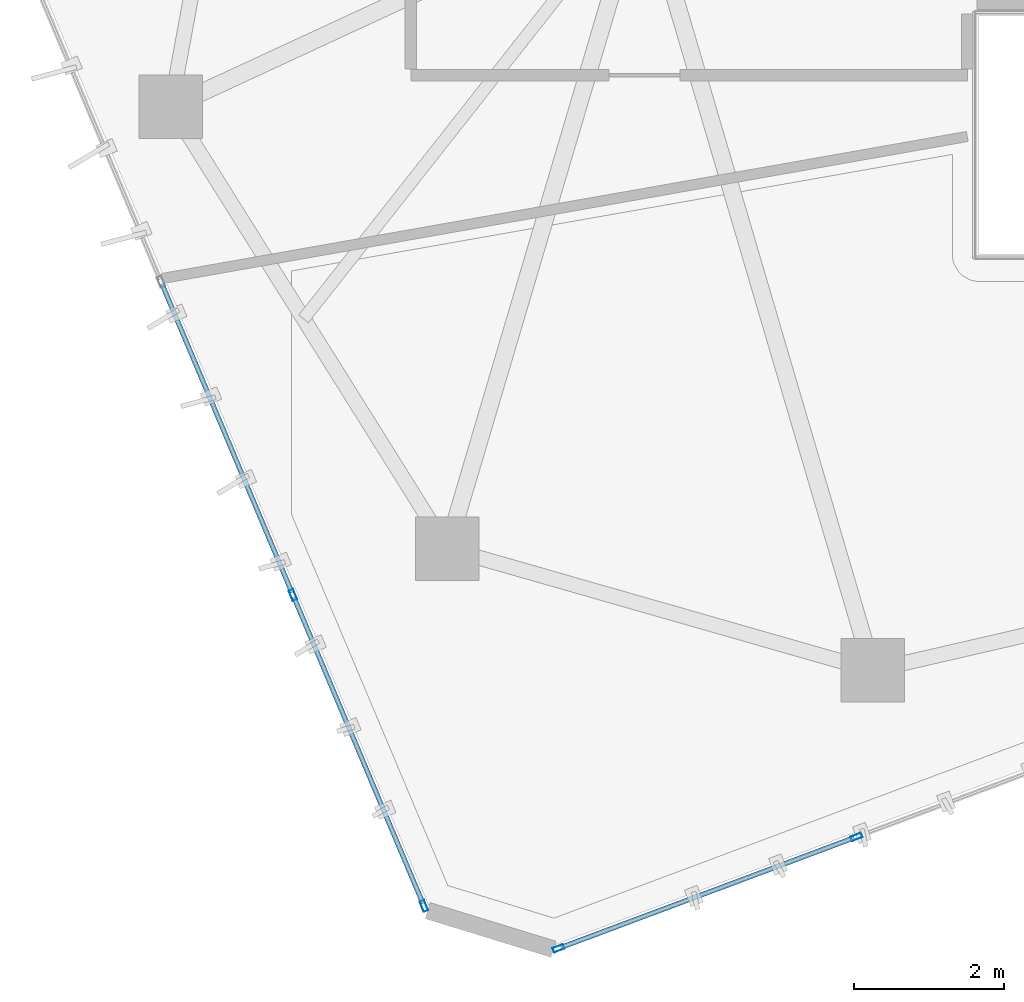
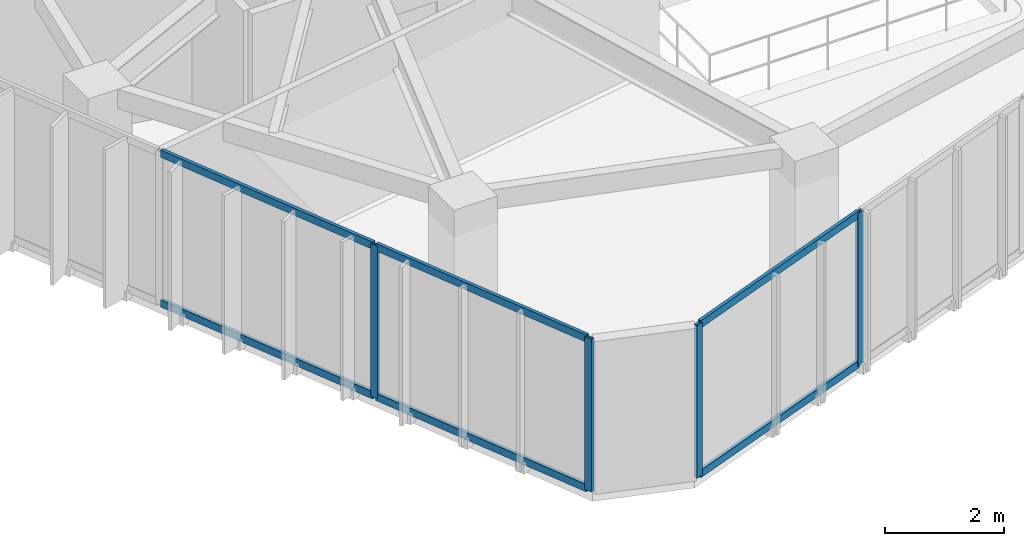
# One storey, part 2 of 20: 10 members, 2 elements without a shape of their own.
"""IFC4 building model written with IfcOpenShell, lengths in metres."""

from ifc_helpers import new_model, si_unit, direction, frame, origin, origin_2d, place, context, subcontext, project, spatial, hollow_rectangle, extrude, source, transform, mapped, material, layer, layer_set, material_profile, profile_set, type_object, type_shapes, element, aggregate, save


model = new_model("IFC4")

# Units and contexts
model_context = context("Model", 3, precision=1e-05, world=origin(), true_north=direction((0.0, 1.0)))
body_context = subcontext(model_context, "Body", "Model", "MODEL_VIEW")
ifc_project = project(units=[si_unit("LENGTHUNIT", "METRE"), si_unit("AREAUNIT", "SQUARE_METRE"), si_unit("VOLUMEUNIT", "CUBIC_METRE"), si_unit("PLANEANGLEUNIT", "RADIAN"), si_unit("MASSUNIT", "GRAM", prefix="KILO")], contexts=[model_context])

# Site, building, storey
site_placement = place(None, origin())
site = spatial("IfcSite", under=ifc_project, at=site_placement, CompositionType="ELEMENT")
building_placement = place(site_placement, origin())
building = spatial("IfcBuilding", under=site, at=building_placement, Name="Talar Marvaseh", CompositionType="ELEMENT")
storey_placement = place(building_placement, frame((0.0, 0.0, 281.60009765625)))
storey = spatial("IfcBuildingStorey", under=building, at=storey_placement, Name="L75", CompositionType="ELEMENT", Elevation=281.60009765625)

# Curtain wall, members
ifc_material = material(Name="Architectural Aluminium", Category="aluminium")
ifc_layer = layer(ifc_material, 0.179931640625)
ifc_layer_set = layer_set([ifc_layer], Name="Architectural Aluminium")
curtain_wall_type = type_object("IfcCurtainWallType", Name="Unitised High-Wind Sky Curtain Wall Z4", PredefinedType="NOTDEFINED", material=ifc_layer_set)
curtain_wall_1_placement = place(storey_placement, origin())
curtain_wall_1 = element("IfcCurtainWall", 1, at=curtain_wall_1_placement, inside=storey, type_object=curtain_wall_type, Name="L75 Unitised High-Wind Sky Curtain Wall Z4", PredefinedType="NOTDEFINED")
ifc_material_profile_1 = material_profile(ifc_material, hollow_rectangle(XDim=0.06494140625, YDim=0.14990234375, WallThickness=0.00390625, at=origin_2d()), Name="RHS150x65x4")
ifc_profile_set_1 = profile_set([ifc_material_profile_1], Name="Architectural Aluminium")
member_type_1 = type_object("IfcMemberType", Name="Unitised Curtain Wall Slim Mullion RHS150x65x4", PredefinedType="MULLION", material=ifc_profile_set_1)
shared_shape_1 = source(origin(), body_context, "Body", "SweptSolid", [
    extrude(hollow_rectangle(XDim=0.06494140625, YDim=0.14990234375, WallThickness=0.00390625, at=origin_2d()), origin(), (0.0, 0.0, 1.0), 3.139892578125),
])
type_shapes(member_type_1, [shared_shape_1])
member_1_placement = place(storey_placement, frame((15.7744140625, 11.890625, 0.0), z_axis=(0.0, 0.0, 1.0), x_axis=(-0.921550586962, -0.388258310498, 0.0)))
member_1 = element("IfcMember", 2, at=member_1_placement, type_object=member_type_1, Name="CW-Z4 mullion 1", PredefinedType="MULLION", context=body_context, shape_type="MappedRepresentation", body=[
    mapped(shared_shape_1, transform((0.0, 0.0, 0.0), x_axis=(1.0, 0.0, 0.0), y_axis=(0.0, 1.0, 0.0), z_axis=(0.0, 0.0, 1.0), scale=1.0)),
])
member_2_placement = place(storey_placement, frame((14.0224609375, 16.049072265625, 0.0), z_axis=(0.0, 0.0, 1.0), x_axis=(-0.921550586962, -0.388258310498, 0.0)))
member_2 = element("IfcMember", 3, at=member_2_placement, type_object=member_type_1, Name="CW-Z4 mullion 2", PredefinedType="MULLION", context=body_context, shape_type="MappedRepresentation", body=[
    mapped(shared_shape_1, transform((0.0, 0.0, 0.0), x_axis=(1.0, 0.0, 0.0), y_axis=(0.0, 1.0, 0.0), z_axis=(0.0, 0.0, 1.0), scale=1.0)),
])

curtain_wall_2_placement = place(storey_placement, origin())
curtain_wall_2 = element("IfcCurtainWall", 4, at=curtain_wall_2_placement, inside=storey, type_object=curtain_wall_type, Name="L75 Unitised High-Wind Sky Curtain Wall Z4", PredefinedType="NOTDEFINED")
member_3_placement = place(storey_placement, frame((21.558349609375, 12.813232421875, 0.0), z_axis=(0.0, 0.0, 1.0), x_axis=(0.350351185001, -0.93661841065, 0.0)))
member_3 = element("IfcMember", 5, at=member_3_placement, type_object=member_type_1, Name="CW-Z4 mullion 4", PredefinedType="MULLION", context=body_context, shape_type="MappedRepresentation", body=[
    mapped(shared_shape_1, transform((0.0, 0.0, 0.0), x_axis=(1.0, 0.0, 0.0), y_axis=(0.0, 1.0, 0.0), z_axis=(0.0, 0.0, 1.0), scale=1.0)),
])
member_4_placement = place(storey_placement, frame((17.57421875, 11.322998046875, 0.0), z_axis=(0.0, 0.0, 1.0), x_axis=(0.350351185001, -0.93661841065, 0.0)))
member_4 = element("IfcMember", 6, at=member_4_placement, type_object=member_type_1, Name="CW-Z4 mullion 5", PredefinedType="MULLION", context=body_context, shape_type="MappedRepresentation", body=[
    mapped(shared_shape_1, transform((0.0, 0.0, 0.0), x_axis=(1.0, 0.0, 0.0), y_axis=(0.0, 1.0, 0.0), z_axis=(0.0, 0.0, 1.0), scale=1.0)),
])

# Member
ifc_material_profile_2 = material_profile(ifc_material, hollow_rectangle(XDim=0.06494140625, YDim=0.14990234375, WallThickness=0.00390625, at=origin_2d()), Name="RHS150x65x4")
ifc_profile_set_2 = profile_set([ifc_material_profile_2], Name="Architectural Aluminium")
member_type_2 = type_object("IfcMemberType", Name="Unitised Curtain Wall Slim Transom RHS150x65x4", PredefinedType="USERDEFINED", material=ifc_profile_set_2)
shared_shape_2 = source(origin(), body_context, "Body", "SweptSolid", [
    extrude(hollow_rectangle(XDim=0.06494140625, YDim=0.14990234375, WallThickness=0.00390625, at=origin_2d()), origin(), (0.0, 0.0, 1.0), 4.479736328125),
])
member_5_placement = place(storey_placement, frame((14.009765625, 16.078857421875, 0.032470703125), z_axis=(-0.388242156435, 0.92155739266, 0.0), x_axis=(-0.92155739266, -0.388242156435, 0.0)))
member_5 = element("IfcMember", 7, at=member_5_placement, type_object=member_type_2, Name="CW-Z4 transom 2.1", ObjectType="TRANSOM", PredefinedType="USERDEFINED", context=body_context, shape_type="MappedRepresentation", body=[
    mapped(shared_shape_2, transform((0.0, 0.0, 0.0), x_axis=(1.0, 0.0, 0.0), y_axis=(0.0, 1.0, 0.0), z_axis=(0.0, 0.0, 1.0), scale=1.0)),
])

member_6_placement = place(storey_placement, frame((14.009765625, 16.078857421875, 3.107421875), z_axis=(-0.388242156435, 0.92155739266, 0.0), x_axis=(-0.92155739266, -0.388242156435, 0.0)))
member_6 = element("IfcMember", 8, at=member_6_placement, type_object=member_type_2, Name="CW-Z4 transom 2.2", ObjectType="TRANSOM", PredefinedType="USERDEFINED", context=body_context, shape_type="MappedRepresentation", body=[
    mapped(shared_shape_2, transform((0.0, 0.0, 0.0), x_axis=(1.0, 0.0, 0.0), y_axis=(0.0, 1.0, 0.0), z_axis=(0.0, 0.0, 1.0), scale=1.0)),
])

shared_shape_3 = source(origin(), body_context, "Body", "SweptSolid", [
    extrude(hollow_rectangle(XDim=0.06494140625, YDim=0.14990234375, WallThickness=0.00390625, at=origin_2d()), origin(), (0.0, 0.0, 1.0), 4.447509765625),
])
member_7_placement = place(storey_placement, frame((15.76171875, 11.92041015625, 0.032470703125), z_axis=(-0.388260677206, 0.92154958984, 0.0), x_axis=(-0.92154958984, -0.388260677206, 0.0)))
member_7 = element("IfcMember", 9, at=member_7_placement, type_object=member_type_2, Name="CW-Z4 transom 1.1", ObjectType="TRANSOM", PredefinedType="USERDEFINED", context=body_context, shape_type="MappedRepresentation", body=[
    mapped(shared_shape_3, transform((0.0, 0.0, 0.0), x_axis=(1.0, 0.0, 0.0), y_axis=(0.0, 1.0, 0.0), z_axis=(0.0, 0.0, 1.0), scale=1.0)),
])

member_8_placement = place(storey_placement, frame((15.76171875, 11.92041015625, 3.107421875), z_axis=(-0.388260677206, 0.92154958984, 0.0), x_axis=(-0.92154958984, -0.388260677206, 0.0)))
member_8 = element("IfcMember", 10, at=member_8_placement, type_object=member_type_2, Name="CW-Z4 transom 1.2", ObjectType="TRANSOM", PredefinedType="USERDEFINED", context=body_context, shape_type="MappedRepresentation", body=[
    mapped(shared_shape_3, transform((0.0, 0.0, 0.0), x_axis=(1.0, 0.0, 0.0), y_axis=(0.0, 1.0, 0.0), z_axis=(0.0, 0.0, 1.0), scale=1.0)),
])

aggregate(curtain_wall_1, [member_1, member_2, member_7, member_8, member_5, member_6])

shared_shape_4 = source(origin(), body_context, "Body", "SweptSolid", [
    extrude(hollow_rectangle(XDim=0.06494140625, YDim=0.14990234375, WallThickness=0.00390625, at=origin_2d()), origin(), (0.0, 0.0, 1.0), 4.188720703125),
])
type_shapes(member_type_2, [shared_shape_2, shared_shape_3, shared_shape_4])
member_9_placement = place(storey_placement, frame((21.528076171875, 12.802001953125, 0.032470703125), z_axis=(-0.936621070845, -0.350344073233, 0.0), x_axis=(0.350344073233, -0.936621070845, 0.0)))
member_9 = element("IfcMember", 11, at=member_9_placement, type_object=member_type_2, Name="CW-Z4 transom 4.1", ObjectType="TRANSOM", PredefinedType="USERDEFINED", context=body_context, shape_type="MappedRepresentation", body=[
    mapped(shared_shape_4, transform((0.0, 0.0, 0.0), x_axis=(1.0, 0.0, 0.0), y_axis=(0.0, 1.0, 0.0), z_axis=(0.0, 0.0, 1.0), scale=1.0)),
])

member_10_placement = place(storey_placement, frame((21.528076171875, 12.802001953125, 3.107421875), z_axis=(-0.936621070845, -0.350344073233, 0.0), x_axis=(0.350344073233, -0.936621070845, 0.0)))
member_10 = element("IfcMember", 12, at=member_10_placement, type_object=member_type_2, Name="CW-Z4 transom 4.2", ObjectType="TRANSOM", PredefinedType="USERDEFINED", context=body_context, shape_type="MappedRepresentation", body=[
    mapped(shared_shape_4, transform((0.0, 0.0, 0.0), x_axis=(1.0, 0.0, 0.0), y_axis=(0.0, 1.0, 0.0), z_axis=(0.0, 0.0, 1.0), scale=1.0)),
])

aggregate(curtain_wall_2, [member_3, member_4, member_9, member_10])

save(model, "model.ifc")
